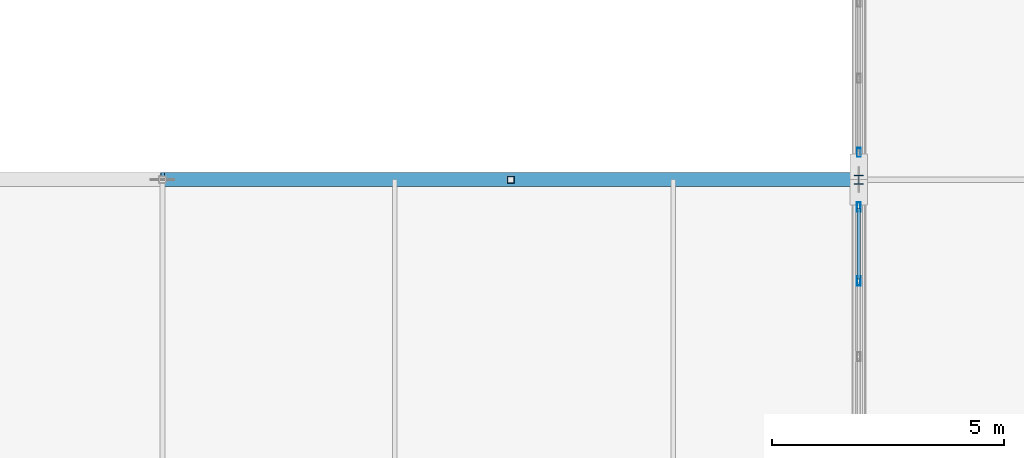
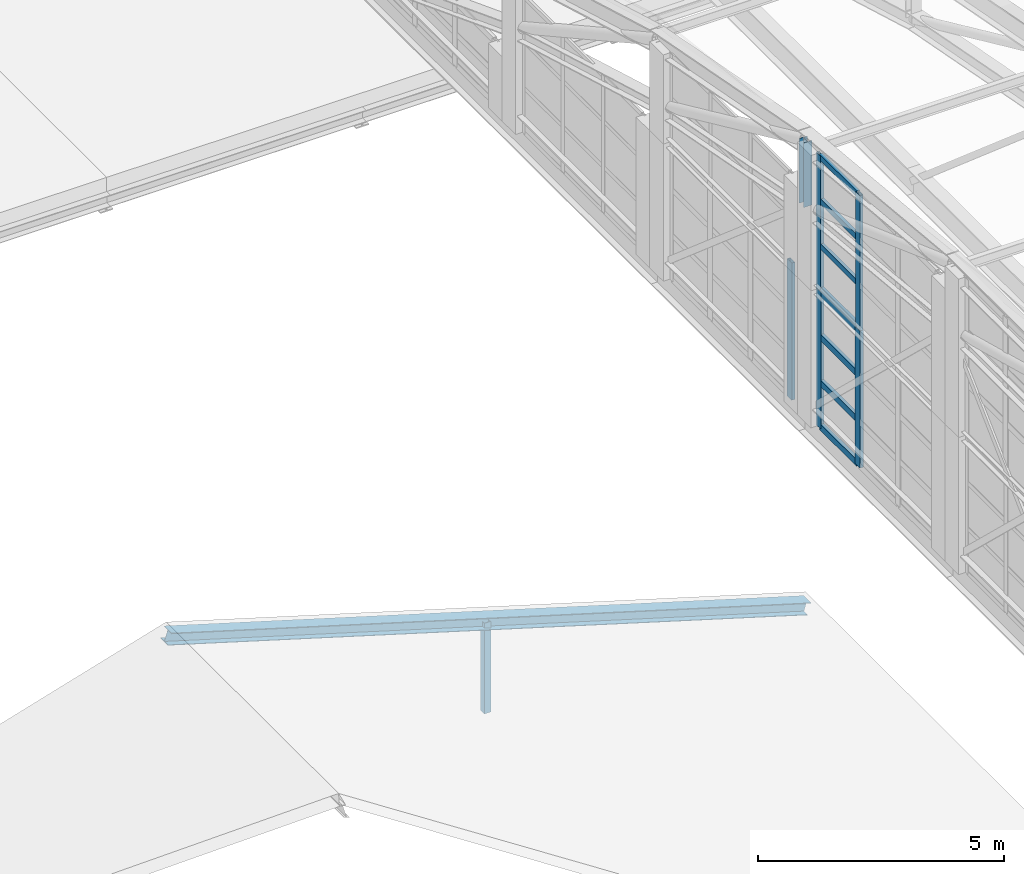
# One storey, part 83 of 204: 16 members, 3 elements without a shape of their own.
"""IFC4 building model written with IfcOpenShell, lengths in metres."""

import ifcopenshell
import ifcopenshell.guid

model = None  # the IFC model being written
_history = None  # IfcOwnerHistory: only IFC2X3 demands one
_inside = {}  # id of a spatial element -> (the spatial element, [elements in it])
_under = {}  # id of a project, library or spatial element -> (it, [spatial elements below it])
_declared = {}  # id of a project -> (the project, [libraries it declares])
_typed = {}  # id of a type object -> (the type object, [elements of that type])
_made_of = {}  # id of a material, layer set ... -> (it, [elements and type objects made of it])


def new_model(schema):
    """Start an empty IFC model of exactly this schema.

    Asked for "IFC4X3", IfcOpenShell would pick the latest addendum, in which some entities
    have other attributes; the version numbers below select the first issue.
    IFC2X3 requires an IfcOwnerHistory on every rooted entity: one is made here for all.
    """
    global model, _history
    if schema == "IFC4X3":
        model = ifcopenshell.file(schema_version=(4, 3, 0, 0))
    else:
        model = ifcopenshell.file(schema=schema)
    _inside.clear()
    _under.clear()
    _declared.clear()
    _typed.clear()
    _made_of.clear()
    _history = None
    if model.schema == "IFC2X3":
        org = make("IfcOrganization", Name="unknown")
        user = make(
            "IfcPersonAndOrganization",
            ThePerson=make("IfcPerson", FamilyName="unknown"),
            TheOrganization=org,
        )
        app = make(
            "IfcApplication",
            ApplicationDeveloper=org,
            Version="unknown",
            ApplicationFullName="unknown",
            ApplicationIdentifier="unknown",
        )
        _history = make(
            "IfcOwnerHistory",
            OwningUser=user,
            OwningApplication=app,
            ChangeAction="ADDED",
            CreationDate=0,
        )
    return model


def make(cls, **values):
    """One entity of the class cls with the attributes given. An attribute that is None is left unset."""
    return model.create_entity(
        cls, **{name: value for name, value in values.items() if value is not None}
    )


def rooted(cls, **values):
    """An entity with a GlobalId (a new one), such as an element, a storey or a relation."""
    return make(cls, GlobalId=ifcopenshell.guid.new(), OwnerHistory=_history, **values)


def si_unit(unit_type, name, prefix=None):
    """IfcSIUnit, for example si_unit("LENGTHUNIT", "METRE", prefix="MILLI")."""
    return make("IfcSIUnit", UnitType=unit_type, Prefix=prefix, Name=name)


def assignment(units):
    """IfcUnitAssignment: the units of a project."""
    return None if units is None else make("IfcUnitAssignment", Units=units)


def point(xyz):
    """IfcCartesianPoint."""
    return None if xyz is None else make("IfcCartesianPoint", Coordinates=xyz)


def direction(xyz):
    """IfcDirection."""
    return None if xyz is None else make("IfcDirection", DirectionRatios=xyz)


def frame(location, z_axis=None, x_axis=None):
    """IfcAxis2Placement3D, a coordinate frame: its origin and axes. An axis left out is left unset."""
    return make(
        "IfcAxis2Placement3D",
        Location=point(location),
        Axis=direction(z_axis),
        RefDirection=direction(x_axis),
    )


def frame_2d(location, x_axis=None):
    """IfcAxis2Placement2D, a coordinate frame in the plane: its origin and x axis."""
    return make(
        "IfcAxis2Placement2D", Location=point(location), RefDirection=direction(x_axis)
    )


def origin():
    """The frame at (0, 0, 0) with its axes left unset."""
    return frame((0.0, 0.0, 0.0))


def origin_2d():
    """The frame at (0, 0) in the plane with its x axis left unset."""
    return frame_2d((0.0, 0.0))


def place(relative_to, where):
    """IfcLocalPlacement: puts the frame where relative to a parent placement (None: the world)."""
    return make(
        "IfcLocalPlacement", PlacementRelTo=relative_to, RelativePlacement=where
    )


def context(
    kind, dimensions, precision=None, world=None, true_north=None, identifier=None
):
    """IfcGeometricRepresentationContext, for example the 3D "Model" context."""
    return make(
        "IfcGeometricRepresentationContext",
        ContextIdentifier=identifier,
        ContextType=kind,
        CoordinateSpaceDimension=dimensions,
        Precision=precision,
        WorldCoordinateSystem=world,
        TrueNorth=true_north,
    )


def subcontext(parent, identifier, kind, view, scale=None):
    """IfcGeometricRepresentationSubContext, for example "Body" below "Model"."""
    return make(
        "IfcGeometricRepresentationSubContext",
        ContextIdentifier=identifier,
        ContextType=kind,
        ParentContext=parent,
        TargetScale=scale,
        TargetView=view,
    )


def project(units=None, contexts=None):
    """IfcProject with its units and contexts."""
    return rooted(
        "IfcProject",
        Name="project",
        RepresentationContexts=contexts,
        UnitsInContext=assignment(units),
    )


def spatial(cls, under=None, at=None, **own):
    """A site, building, storey or space (cls), placed at a placement, below another one or the project."""
    s = rooted(cls, ObjectPlacement=at, **own)
    if under is not None:
        _under.setdefault(under.id(), (under, []))[1].append(s)
    return s


def profile(cls, at=None, kind="AREA", **sizes):
    """A parametric profile (cls). Its sizes go by their IFC names, for example OverallWidth=200.0."""
    return make(cls, ProfileType=kind, Position=at, **sizes)


def hollow_rectangle(**sizes):
    """IfcRectangleHollowProfileDef."""
    return profile("IfcRectangleHollowProfileDef", **sizes)


def i_section(**sizes):
    """IfcIShapeProfileDef."""
    return profile("IfcIShapeProfileDef", **sizes)


def extrude(swept, where, along, depth):
    """IfcExtrudedAreaSolid: the profile swept, set in the frame where, extruded along a direction by depth."""
    return make(
        "IfcExtrudedAreaSolid",
        SweptArea=swept,
        Position=where,
        ExtrudedDirection=direction(along),
        Depth=depth,
    )


def shape(context_of_items, identifier, shape_type, items):
    """IfcShapeRepresentation: the items that make up one representation, for example the "Body"."""
    return make(
        "IfcShapeRepresentation",
        ContextOfItems=context_of_items,
        RepresentationIdentifier=identifier,
        RepresentationType=shape_type,
        Items=items,
    )


def material(Name=None, Category=None):
    """IfcMaterial."""
    return make("IfcMaterial", Name=Name, Category=Category)


def layer(
    of_material, thickness, ventilated=None, Name=None, Category=None, Priority=None
):
    """IfcMaterialLayer: one layer of a wall or slab, of a material (None: an air gap)."""
    return make(
        "IfcMaterialLayer",
        Material=of_material,
        LayerThickness=thickness,
        IsVentilated=ventilated,
        Name=Name,
        Category=Category,
        Priority=Priority,
    )


def layer_set(layers, Name=None):
    """IfcMaterialLayerSet."""
    return make("IfcMaterialLayerSet", MaterialLayers=layers, LayerSetName=Name)


def material_profile(
    of_material, cross_section, Name=None, Category=None, Priority=None
):
    """IfcMaterialProfile: a cross section and its material."""
    return make(
        "IfcMaterialProfile",
        Name=Name,
        Material=of_material,
        Profile=cross_section,
        Priority=Priority,
        Category=Category,
    )


def profile_set(profiles, Name=None, composite=None):
    """IfcMaterialProfileSet."""
    return make(
        "IfcMaterialProfileSet",
        Name=Name,
        MaterialProfiles=profiles,
        CompositeProfile=composite,
    )


def made_of(thing, what):
    """Note that an element or type object is made of a material, layer set ...; save() writes the relation."""
    if what is not None:
        _made_of.setdefault(what.id(), (what, []))[1].append(thing)
    return thing


def type_object(cls, material=None, **own):
    """A type object (cls), such as IfcWallType, which elements share."""
    return made_of(rooted(cls, **own), material)


def element(
    cls,
    number,
    at=None,
    inside=None,
    cuts=None,
    type_object=None,
    material=None,
    context=None,
    identifier="Body",
    shape_type=None,
    held_by="IfcProductDefinitionShape",
    body=None,
    shapes=None,
    **own,
):
    """One element of the class cls, such as IfcWall. Its Tag is "e" and its number.

    at: its placement. inside: the storey or other place that contains it. cuts: it is an
    opening in that element (IfcRelVoidsElement). A single representation is given by context,
    identifier, shape_type and body (its items); several are given by shapes. held_by: the class
    of the entity that holds the representations. save() writes the other relations.
    """
    e = rooted(cls, Tag="e%d" % number, ObjectPlacement=at, **own)
    if body is not None:
        shapes = [shape(context, identifier, shape_type, body)]
    if shapes is not None:
        e.Representation = make(held_by, Representations=shapes)
    if inside is not None:
        _inside.setdefault(inside.id(), (inside, []))[1].append(e)
    if cuts is not None:
        rooted(
            "IfcRelVoidsElement", RelatingBuildingElement=cuts, RelatedOpeningElement=e
        )
    if type_object is not None:
        _typed.setdefault(type_object.id(), (type_object, []))[1].append(e)
    return made_of(e, material)


def aggregate(whole, parts):
    """IfcRelAggregates: a whole, such as a stair, and the parts it consists of."""
    return rooted("IfcRelAggregates", RelatingObject=whole, RelatedObjects=parts)


def save(model, path):
    """Write the relations noted so far, then the file.

    IfcRelAggregates (storeys below a building ...), IfcRelContainedInSpatialStructure (elements
    in a storey), IfcRelDefinesByType, IfcRelAssociatesMaterial and IfcRelDeclares: one each for
    every whole, place, type object, material and project.
    """
    for whole, parts in _under.values():
        aggregate(whole, parts)
    for where, things in _inside.values():
        rooted(
            "IfcRelContainedInSpatialStructure",
            RelatedElements=things,
            RelatingStructure=where,
        )
    for kind, things in _typed.values():
        rooted("IfcRelDefinesByType", RelatedObjects=things, RelatingType=kind)
    for what, things in _made_of.values():
        rooted("IfcRelAssociatesMaterial", RelatedObjects=things, RelatingMaterial=what)
    for by, libraries in _declared.values():
        rooted("IfcRelDeclares", RelatingContext=by, RelatedDefinitions=libraries)
    model.write(path)


model = new_model("IFC4")

# Units and contexts
model_context = context("Model", 3, precision=1e-05, world=origin(), true_north=direction((0.0, 1.0)))
body_context = subcontext(model_context, "Body", "Model", "MODEL_VIEW")
ifc_project = project(units=[si_unit("LENGTHUNIT", "METRE"), si_unit("AREAUNIT", "SQUARE_METRE"), si_unit("VOLUMEUNIT", "CUBIC_METRE"), si_unit("PLANEANGLEUNIT", "RADIAN"), si_unit("MASSUNIT", "GRAM", prefix="KILO")], contexts=[model_context])

# Site, building, storey
site_placement = place(None, origin())
site = spatial("IfcSite", under=ifc_project, at=site_placement, CompositionType="ELEMENT")
building_placement = place(site_placement, origin())
building = spatial("IfcBuilding", under=site, at=building_placement, Name="Zilviju Railside Exhibition Hall", CompositionType="ELEMENT")
storey_placement = place(building_placement, frame((0.0, 0.0, 21.0)))
storey = spatial("IfcBuildingStorey", under=building, at=storey_placement, Name="RF", CompositionType="ELEMENT", Elevation=21.0)

# Curtain wall, member
ifc_material_1 = material(Name="Thermally broken aluminium-steel triple-glazed curtain wall", Category="steel")
ifc_layer_1 = layer(ifc_material_1, 0.179931640625)
ifc_layer_set_1 = layer_set([ifc_layer_1], Name="Thermally broken aluminium-steel triple-glazed curtain wall")
curtain_wall_type_1 = type_object("IfcCurtainWallType", Name="CW-BAY-05", PredefinedType="USERDEFINED", material=ifc_layer_set_1)
curtain_wall_1_placement = place(storey_placement, origin())
curtain_wall_1 = element("IfcCurtainWall", 1, at=curtain_wall_1_placement, inside=storey, type_object=curtain_wall_type_1, Name="North Hall Arch Lower Tympanum Glazing West P7", ObjectType="GLAZED CURTAIN WALL", PredefinedType="USERDEFINED")
ifc_material_2 = material(Name="Thermally broken anodized aluminium mullion", Category="aluminium")
ifc_material_profile_1 = material_profile(ifc_material_2, hollow_rectangle(XDim=0.074951171875, YDim=0.18994140625, WallThickness=0.0048828125, at=origin_2d()), Name="MULLION 190x75x5")
ifc_profile_set_1 = profile_set([ifc_material_profile_1], Name="Thermally broken anodized aluminium mullion")
member_type_1 = type_object("IfcMemberType", Name="CWM-75x190", PredefinedType="MULLION", material=ifc_profile_set_1)
member_1_placement = place(storey_placement, frame((78.0, 120.58740234375, -3.60009765625), z_axis=(0.0, 0.0, 1.0), x_axis=(-1.0, 0.0, 0.0)))
member_1 = element("IfcMember", 2, at=member_1_placement, type_object=member_type_1, Name="CW-05 mullion 1", PredefinedType="MULLION", context=body_context, shape_type="SweptSolid", body=[
    extrude(hollow_rectangle(XDim=0.074951171875, YDim=0.18994140625, WallThickness=0.0048828125, at=origin_2d()), origin(), (0.0, 0.0, 1.0), 3.400146484375),
])
aggregate(curtain_wall_1, [member_1])

# Curtain wall, members
ifc_layer_2 = layer(ifc_material_1, 0.179931640625)
ifc_layer_set_2 = layer_set([ifc_layer_2], Name="Thermally broken aluminium-steel triple-glazed curtain wall")
curtain_wall_type_2 = type_object("IfcCurtainWallType", Name="CW-BAY-11", PredefinedType="USERDEFINED", material=ifc_layer_set_2)
curtain_wall_2_placement = place(storey_placement, origin())
curtain_wall_2 = element("IfcCurtainWall", 3, at=curtain_wall_2_placement, inside=storey, type_object=curtain_wall_type_2, Name="North Hall Crown Arch Tympanum Glazing West P6", ObjectType="GLAZED CURTAIN WALL", PredefinedType="USERDEFINED")
member_2_placement = place(storey_placement, frame((78.0, 117.816650390625, -0.199951171875), z_axis=(0.0, 0.0, 1.0), x_axis=(-1.0, 0.0, 0.0)))
member_2 = element("IfcMember", 4, at=member_2_placement, type_object=member_type_1, Name="CW-11 mullion 3", PredefinedType="MULLION", context=body_context, shape_type="SweptSolid", body=[
    extrude(hollow_rectangle(XDim=0.074951171875, YDim=0.18994140625, WallThickness=0.0048828125, at=origin_2d()), origin(), (0.0, 0.0, 1.0), 3.35546875),
])
member_3_placement = place(storey_placement, frame((78.0, 119.41259765625, -0.199951171875), z_axis=(0.0, 0.0, 1.0), x_axis=(-1.0, 0.0, 0.0)))
member_3 = element("IfcMember", 5, at=member_3_placement, type_object=member_type_1, Name="CW-11 mullion 4", PredefinedType="MULLION", context=body_context, shape_type="SweptSolid", body=[
    extrude(hollow_rectangle(XDim=0.074951171875, YDim=0.18994140625, WallThickness=0.0048828125, at=origin_2d()), origin(), (0.0, 0.0, 1.0), 3.35546875),
])

ifc_layer_3 = layer(ifc_material_1, 0.179931640625)
ifc_layer_set_3 = layer_set([ifc_layer_3], Name="Thermally broken aluminium-steel triple-glazed curtain wall")
curtain_wall_type_3 = type_object("IfcCurtainWallType", Name="CW-BAY-04", PredefinedType="USERDEFINED", material=ifc_layer_set_3)
curtain_wall_3_placement = place(storey_placement, origin())
curtain_wall_3 = element("IfcCurtainWall", 6, at=curtain_wall_3_placement, inside=storey, type_object=curtain_wall_type_3, Name="North Hall Arch Lower Tympanum Glazing West P6", ObjectType="GLAZED CURTAIN WALL", PredefinedType="USERDEFINED")
ifc_material_profile_2 = material_profile(ifc_material_2, hollow_rectangle(XDim=0.080078125, YDim=0.199951171875, WallThickness=0.0048828125, at=origin_2d()), Name="MULLION 200x80x5")
ifc_profile_set_2 = profile_set([ifc_material_profile_2], Name="Thermally broken anodized aluminium mullion")
member_type_2 = type_object("IfcMemberType", Name="CWM-80x200", PredefinedType="MULLION", material=ifc_profile_set_2)
member_4_placement = place(storey_placement, frame((78.0, 117.816650390625, -3.60009765625), z_axis=(0.0, 0.0, 1.0), x_axis=(-1.0, 0.0, 0.0)))
member_4 = element("IfcMember", 7, at=member_4_placement, type_object=member_type_2, Name="CW-04 mullion 3", PredefinedType="MULLION", context=body_context, shape_type="SweptSolid", body=[
    extrude(hollow_rectangle(XDim=0.080078125, YDim=0.199951171875, WallThickness=0.0048828125, at=origin_2d()), origin(), (0.0, 0.0, 1.0), 3.400146484375),
])
member_5_placement = place(storey_placement, frame((78.0, 119.409912109375, -3.60009765625), z_axis=(0.0, 0.0, 1.0), x_axis=(-1.0, 0.0, 0.0)))
member_5 = element("IfcMember", 8, at=member_5_placement, type_object=member_type_2, Name="CW-04 mullion 4", PredefinedType="MULLION", context=body_context, shape_type="SweptSolid", body=[
    extrude(hollow_rectangle(XDim=0.080078125, YDim=0.199951171875, WallThickness=0.0048828125, at=origin_2d()), origin(), (0.0, 0.0, 1.0), 3.400146484375),
])

# Member
ifc_material_3 = material(Name="Thermally broken anodized aluminium transom", Category="aluminium")
ifc_material_profile_3 = material_profile(ifc_material_3, hollow_rectangle(XDim=0.074951171875, YDim=0.139892578125, WallThickness=0.0048828125, at=origin_2d()), Name="TRANSOM 140x75x5")
ifc_profile_set_3 = profile_set([ifc_material_profile_3], Name="Thermally broken anodized aluminium transom")
member_type_3 = type_object("IfcMemberType", Name="CWT-75x140", PredefinedType="USERDEFINED", material=ifc_profile_set_3)
member_6_placement = place(storey_placement, frame((78.0, 117.854248046875, -0.16259765625), z_axis=(0.0, 1.0, 0.0), x_axis=(-1.0, 0.0, 0.0)))
member_6 = element("IfcMember", 9, at=member_6_placement, type_object=member_type_3, Name="CW-11 transom 3.1", ObjectType="TRANSOM", PredefinedType="USERDEFINED", context=body_context, shape_type="SweptSolid", body=[
    extrude(hollow_rectangle(XDim=0.074951171875, YDim=0.139892578125, WallThickness=0.0048828125, at=origin_2d()), origin(), (0.0, 0.0, 1.0), 1.520751953125),
])

member_7_placement = place(storey_placement, frame((78.0, 117.854248046875, 0.9189453125), z_axis=(0.0, 1.0, 0.0), x_axis=(-1.0, 0.0, 0.0)))
member_7 = element("IfcMember", 10, at=member_7_placement, type_object=member_type_3, Name="CW-11 transom 3.2", ObjectType="TRANSOM", PredefinedType="USERDEFINED", context=body_context, shape_type="SweptSolid", body=[
    extrude(hollow_rectangle(XDim=0.074951171875, YDim=0.139892578125, WallThickness=0.0048828125, at=origin_2d()), origin(), (0.0, 0.0, 1.0), 1.520751953125),
])

member_8_placement = place(storey_placement, frame((78.0, 117.854248046875, 2.037109375), z_axis=(0.0, 1.0, 0.0), x_axis=(-1.0, 0.0, 0.0)))
member_8 = element("IfcMember", 11, at=member_8_placement, type_object=member_type_3, Name="CW-11 transom 3.3", ObjectType="TRANSOM", PredefinedType="USERDEFINED", context=body_context, shape_type="SweptSolid", body=[
    extrude(hollow_rectangle(XDim=0.074951171875, YDim=0.139892578125, WallThickness=0.0048828125, at=origin_2d()), origin(), (0.0, 0.0, 1.0), 1.520751953125),
])

member_9_placement = place(storey_placement, frame((78.0, 117.854248046875, 3.1181640625), z_axis=(0.0, 1.0, 0.0), x_axis=(-1.0, 0.0, 0.0)))
member_9 = element("IfcMember", 12, at=member_9_placement, type_object=member_type_3, Name="CW-11 transom 3.4", ObjectType="TRANSOM", PredefinedType="USERDEFINED", context=body_context, shape_type="SweptSolid", body=[
    extrude(hollow_rectangle(XDim=0.074951171875, YDim=0.139892578125, WallThickness=0.0048828125, at=origin_2d()), origin(), (0.0, 0.0, 1.0), 1.520751953125),
])

aggregate(curtain_wall_2, [member_2, member_3, member_6, member_7, member_8, member_9])

ifc_material_profile_4 = material_profile(ifc_material_3, hollow_rectangle(XDim=0.080078125, YDim=0.159912109375, WallThickness=0.0048828125, at=origin_2d()), Name="TRANSOM 160x80x5")
ifc_profile_set_4 = profile_set([ifc_material_profile_4], Name="Thermally broken anodized aluminium transom")
member_type_4 = type_object("IfcMemberType", Name="CWT-80x160", PredefinedType="USERDEFINED", material=ifc_profile_set_4)
member_10_placement = place(storey_placement, frame((78.0, 117.856689453125, -3.56005859375), z_axis=(0.0, 1.0, 0.0), x_axis=(-1.0, 0.0, 0.0)))
member_10 = element("IfcMember", 13, at=member_10_placement, type_object=member_type_4, Name="CW-04 transom 3.1", ObjectType="TRANSOM", PredefinedType="USERDEFINED", context=body_context, shape_type="SweptSolid", body=[
    extrude(hollow_rectangle(XDim=0.080078125, YDim=0.159912109375, WallThickness=0.0048828125, at=origin_2d()), origin(), (0.0, 0.0, 1.0), 1.513427734375),
])

member_11_placement = place(storey_placement, frame((78.0, 117.856689453125, -2.467041015625), z_axis=(0.0, 1.0, 0.0), x_axis=(-1.0, 0.0, 0.0)))
member_11 = element("IfcMember", 14, at=member_11_placement, type_object=member_type_4, Name="CW-04 transom 3.2", ObjectType="TRANSOM", PredefinedType="USERDEFINED", context=body_context, shape_type="SweptSolid", body=[
    extrude(hollow_rectangle(XDim=0.080078125, YDim=0.159912109375, WallThickness=0.0048828125, at=origin_2d()), origin(), (0.0, 0.0, 1.0), 1.513427734375),
])

member_12_placement = place(storey_placement, frame((78.0, 117.856689453125, -1.3330078125), z_axis=(0.0, 1.0, 0.0), x_axis=(-1.0, 0.0, 0.0)))
member_12 = element("IfcMember", 15, at=member_12_placement, type_object=member_type_4, Name="CW-04 transom 3.3", ObjectType="TRANSOM", PredefinedType="USERDEFINED", context=body_context, shape_type="SweptSolid", body=[
    extrude(hollow_rectangle(XDim=0.080078125, YDim=0.159912109375, WallThickness=0.0048828125, at=origin_2d()), origin(), (0.0, 0.0, 1.0), 1.513427734375),
])

member_13_placement = place(storey_placement, frame((78.0, 117.856689453125, -0.239990234375), z_axis=(0.0, 1.0, 0.0), x_axis=(-1.0, 0.0, 0.0)))
member_13 = element("IfcMember", 16, at=member_13_placement, type_object=member_type_4, Name="CW-04 transom 3.4", ObjectType="TRANSOM", PredefinedType="USERDEFINED", context=body_context, shape_type="SweptSolid", body=[
    extrude(hollow_rectangle(XDim=0.080078125, YDim=0.159912109375, WallThickness=0.0048828125, at=origin_2d()), origin(), (0.0, 0.0, 1.0), 1.513427734375),
])

aggregate(curtain_wall_3, [member_4, member_5, member_10, member_11, member_12, member_13])

# Members
ifc_material_4 = material(Name="Steel S355ML", Category="steel")
ifc_material_profile_5 = material_profile(ifc_material_4, i_section(OverallWidth=0.199951171875, OverallDepth=0.18994140625, WebThickness=0.006591796875, FlangeThickness=0.010009765625, at=origin_2d()), Name="HEA 200")
ifc_profile_set_5 = profile_set([ifc_material_profile_5], Name="Steel S355ML")
member_type_5 = type_object("IfcMemberType", Name="TR-POST-HEA200", PredefinedType="POST", material=ifc_profile_set_5)
member_14_placement = place(storey_placement, frame((78.0, 120.0, 1.5556640625), z_axis=(0.0, 0.0, 1.0), x_axis=(1.0, 0.0, 0.0)))
element("IfcMember", 17, at=member_14_placement, inside=storey, type_object=member_type_5, Name="V2 Parabolic Arch Web Post X=78.0 N6", PredefinedType="POST", context=body_context, shape_type="SweptSolid", body=[
    extrude(i_section(OverallWidth=0.199951171875, OverallDepth=0.18994140625, WebThickness=0.006591796875, FlangeThickness=0.010009765625, at=origin_2d()), origin(), (0.0, 0.0, 1.0), 1.599853515625),
])
ifc_material_5 = material(Name="Steel S355J2", Category="steel")
ifc_material_profile_6 = material_profile(ifc_material_5, hollow_rectangle(XDim=0.14990234375, YDim=0.14990234375, WallThickness=0.008056640625, at=origin_2d()), Name="SHS 150x150x8.0")
ifc_profile_set_6 = profile_set([ifc_material_profile_6], Name="Steel S355J2")
member_type_6 = type_object("IfcMemberType", Name="TR-POST-SHS150", PredefinedType="POST", material=ifc_profile_set_6)
member_15_placement = place(storey_placement, frame((70.5, 120.0, -8.39990234375), z_axis=(0.0, 0.0, 1.0), x_axis=(1.0, 0.0, 0.0)))
element("IfcMember", 18, at=member_15_placement, inside=storey, type_object=member_type_6, Name="Concourse Saddle Queen Post Y=120.0", PredefinedType="POST", context=body_context, shape_type="SweptSolid", body=[
    extrude(hollow_rectangle(XDim=0.14990234375, YDim=0.14990234375, WallThickness=0.008056640625, at=origin_2d()), origin(), (0.0, 0.0, 1.0), 2.25),
])
ifc_material_profile_7 = material_profile(ifc_material_5, i_section(OverallWidth=0.300048828125, OverallDepth=0.2900390625, WebThickness=0.008544921875, FlangeThickness=0.013916015625, at=origin_2d()), Name="HEA 300")
ifc_profile_set_7 = profile_set([ifc_material_profile_7], Name="Steel S355J2")
member_type_7 = type_object("IfcMemberType", Name="TR-RAF-HEA300", PredefinedType="RAFTER", material=ifc_profile_set_7)
member_16_placement = place(storey_placement, frame((63.0, 120.0, -3.89990234375), z_axis=(0.957826285221, 0.0, -0.287347885566), x_axis=(0.0, 1.0, 0.0)))
element("IfcMember", 19, at=member_16_placement, inside=storey, type_object=member_type_7, Name="Concourse Saddle East Rafter Y=120.0", PredefinedType="RAFTER", context=body_context, shape_type="SweptSolid", body=[
    extrude(i_section(OverallWidth=0.300048828125, OverallDepth=0.2900390625, WebThickness=0.008544921875, FlangeThickness=0.013916015625, at=origin_2d()), origin(), (0.0, 0.0, 1.0), 15.660400390625),
])

save(model, "model.ifc")
